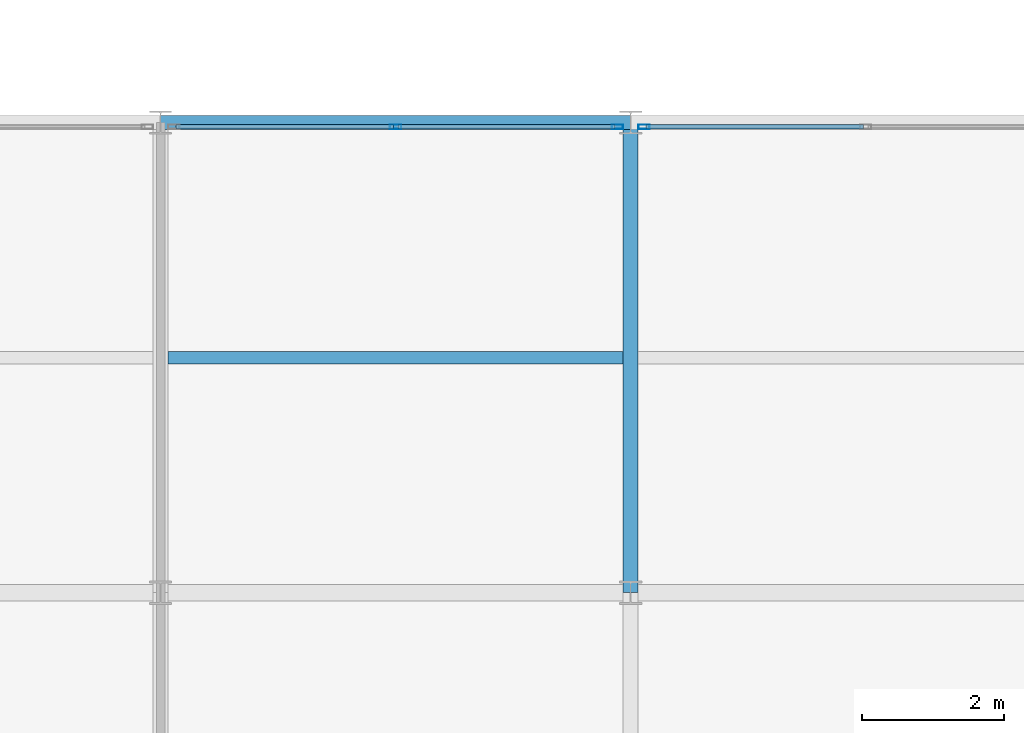
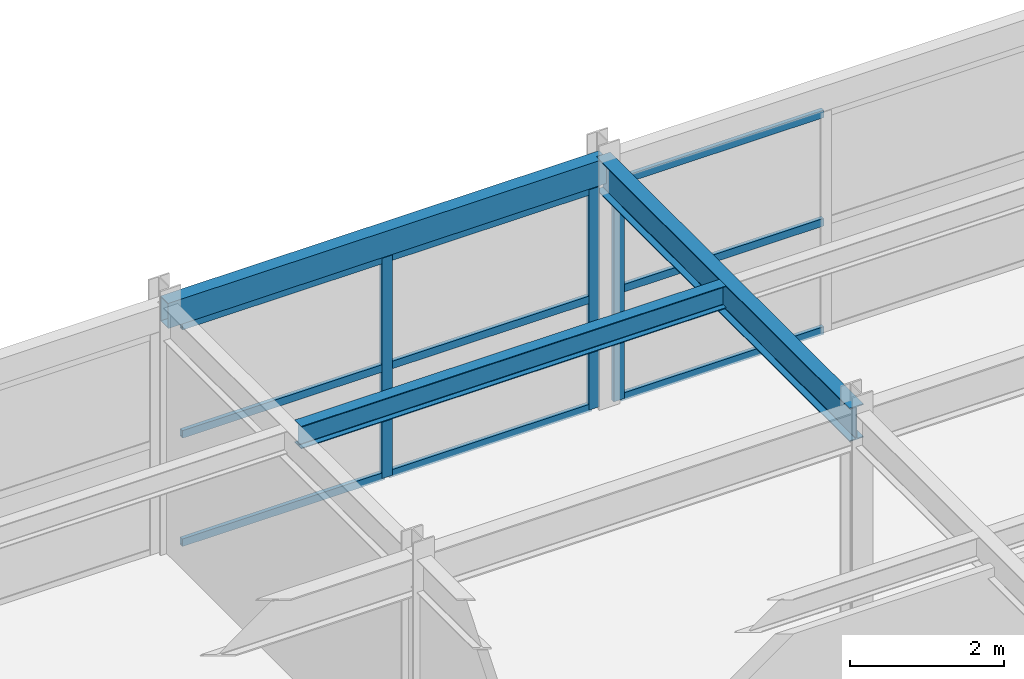
# One storey, part 86 of 134: 12 members, 3 beams, 2 elements without a shape of their own.
"""IFC4 building model written with IfcOpenShell, lengths in metres."""

from ifc_helpers import new_model, si_unit, direction, frame, origin, origin_2d, place, context, subcontext, project, spatial, hollow_rectangle, i_section, extrude, material, material_profile, profile_set, type_object, element, aggregate, save


model = new_model("IFC4")

# Units and contexts
model_context = context("Model", 3, precision=1e-05, world=origin(), true_north=direction((0.0, 1.0)))
body_context = subcontext(model_context, "Body", "Model", "MODEL_VIEW")
ifc_project = project(units=[si_unit("LENGTHUNIT", "METRE"), si_unit("AREAUNIT", "SQUARE_METRE"), si_unit("VOLUMEUNIT", "CUBIC_METRE"), si_unit("PLANEANGLEUNIT", "RADIAN"), si_unit("MASSUNIT", "GRAM", prefix="KILO")], contexts=[model_context])

# Site, building, storey
site_placement = place(None, origin())
site = spatial("IfcSite", under=ifc_project, at=site_placement, CompositionType="ELEMENT")
building_placement = place(site_placement, origin())
building = spatial("IfcBuilding", under=site, at=building_placement, Name="Karori Crest Natural Sciences Institute", CompositionType="ELEMENT")
storey_placement = place(building_placement, frame((0.0, 0.0, 21.699951171875)))
storey = spatial("IfcBuildingStorey", under=building, at=storey_placement, Name="L05", CompositionType="ELEMENT", Elevation=21.699951171875)

# Beams
ifc_material_1 = material(Name="Structural steel AS/NZS 3679.1 Grade 350", Category="steel")
ifc_material_profile_1 = material_profile(ifc_material_1, i_section(OverallWidth=0.208984375, OverallDepth=0.532958984375, WebThickness=0.01025390625, FlangeThickness=0.015625, FilletRadius=0.013916015625, at=origin_2d()), Name="530UB92.4")
ifc_profile_set_1 = profile_set([ifc_material_profile_1], Name="Structural steel AS/NZS 3679.1 Grade 350")
beam_type_1 = type_object("IfcBeamType", Name="BT-05", PredefinedType="BEAM", material=ifc_profile_set_1)
beam_1_placement = place(storey_placement, frame((143.199951171875, 14.0, 3.653564453125), z_axis=(0.0, 1.0, 0.0), x_axis=(-1.0, 0.0, 0.0)))
element("IfcBeam", 1, at=beam_1_placement, inside=storey, type_object=beam_type_1, Name="Beam B-2508", PredefinedType="BEAM", context=body_context, shape_type="SweptSolid", body=[
    extrude(i_section(OverallWidth=0.208984375, OverallDepth=0.532958984375, WebThickness=0.01025390625, FlangeThickness=0.015625, FilletRadius=0.013916015625, at=origin_2d()), origin(), (0.0, 0.0, 1.0), 6.60009765625),
])
ifc_material_profile_2 = material_profile(ifc_material_1, i_section(OverallWidth=0.172119140625, OverallDepth=0.35888671875, WebThickness=0.008056640625, FlangeThickness=0.012939453125, FilletRadius=0.010986328125, at=origin_2d()), Name="360UB56.7")
ifc_profile_set_2 = profile_set([ifc_material_profile_2], Name="Structural steel AS/NZS 3679.1 Grade 350")
beam_type_2 = type_object("IfcBeamType", Name="BT-08", PredefinedType="BEAM", material=ifc_profile_set_2)
beam_2_placement = place(storey_placement, frame((136.70458984375, 17.300048828125, 3.740478515625), z_axis=(1.0, 0.0, 0.0), x_axis=(0.0, 1.0, 0.0)))
element("IfcBeam", 2, at=beam_2_placement, inside=storey, type_object=beam_type_2, Name="Beam B-2531", PredefinedType="BEAM", context=body_context, shape_type="SweptSolid", body=[
    extrude(i_section(OverallWidth=0.172119140625, OverallDepth=0.35888671875, WebThickness=0.008056640625, FlangeThickness=0.012939453125, FilletRadius=0.010986328125, at=origin_2d()), origin(), (0.0, 0.0, 1.0), 6.390869140625),
])
ifc_material_2 = material(Name="Hollow structural steel AS/NZS 1163 Grade C350", Category="steel")
ifc_material_profile_3 = material_profile(ifc_material_2, hollow_rectangle(XDim=0.199951171875, YDim=0.39990234375, WallThickness=0.012451171875, at=origin_2d()), Name="RHS400x200x12.5")
ifc_profile_set_3 = profile_set([ifc_material_profile_3], Name="Hollow structural steel AS/NZS 1163 Grade C350")
beam_type_3 = type_object("IfcBeamType", Name="BT-14", PredefinedType="SPANDREL", material=ifc_profile_set_3)
beam_3_placement = place(storey_placement, frame((136.60009765625, 20.60009765625, 3.719970703125), z_axis=(1.0, 0.0, 0.0), x_axis=(0.0, 1.0, 0.0)))
element("IfcBeam", 3, at=beam_3_placement, inside=storey, type_object=beam_type_3, Name="Beam B-2484", PredefinedType="SPANDREL", context=body_context, shape_type="SweptSolid", body=[
    extrude(hollow_rectangle(XDim=0.199951171875, YDim=0.39990234375, WallThickness=0.012451171875, at=origin_2d()), origin(), (0.0, 0.0, 1.0), 6.599853515625),
])

# Curtain wall, members
ifc_material_3 = material(Name="Anodised architectural aluminium 6063-T6", Category="aluminium")
curtain_wall_type = type_object("IfcCurtainWallType", Name="CWT-20", PredefinedType="NOTDEFINED", material=ifc_material_3)
curtain_wall_1_placement = place(storey_placement, origin())
curtain_wall_1 = element("IfcCurtainWall", 4, at=curtain_wall_1_placement, inside=storey, type_object=curtain_wall_type, Name="Curtain wall CW-0345", PredefinedType="NOTDEFINED")
ifc_material_profile_4 = material_profile(ifc_material_3, hollow_rectangle(XDim=0.06494140625, YDim=0.159912109375, WallThickness=0.00390625, at=origin_2d()), Name="CWM160x65x4")
ifc_profile_set_4 = profile_set([ifc_material_profile_4], Name="Anodised architectural aluminium 6063-T6")
member_type_1 = type_object("IfcMemberType", Name="CWM-01", PredefinedType="MULLION", material=ifc_profile_set_4)
member_1_placement = place(storey_placement, frame((139.89990234375, 20.5400390625, 0.0), z_axis=(0.0, 0.0, 1.0), x_axis=(0.0, 1.0, 0.0)))
member_1 = element("IfcMember", 5, at=member_1_placement, type_object=member_type_1, Name="CW-0345 mullion 2", PredefinedType="MULLION", context=body_context, shape_type="SweptSolid", body=[
    extrude(hollow_rectangle(XDim=0.06494140625, YDim=0.159912109375, WallThickness=0.00390625, at=origin_2d()), origin(), (0.0, 0.0, 1.0), 3.505126953125),
])
member_2_placement = place(storey_placement, frame((143.013916015625, 20.5400390625, 0.0), z_axis=(0.0, 0.0, 1.0), x_axis=(0.0, 1.0, 0.0)))
member_2 = element("IfcMember", 6, at=member_2_placement, type_object=member_type_1, Name="CW-0345 mullion 3", PredefinedType="MULLION", context=body_context, shape_type="SweptSolid", body=[
    extrude(hollow_rectangle(XDim=0.06494140625, YDim=0.159912109375, WallThickness=0.00390625, at=origin_2d()), origin(), (0.0, 0.0, 1.0), 3.505126953125),
])

# Curtain wall, member
curtain_wall_2_placement = place(storey_placement, origin())
curtain_wall_2 = element("IfcCurtainWall", 7, at=curtain_wall_2_placement, inside=storey, type_object=curtain_wall_type, Name="Curtain wall CW-0346", PredefinedType="NOTDEFINED")
member_3_placement = place(storey_placement, frame((143.385986328125, 20.5400390625, 0.0), z_axis=(0.0, 0.0, 1.0), x_axis=(0.0, 1.0, 0.0)))
member_3 = element("IfcMember", 8, at=member_3_placement, type_object=member_type_1, Name="CW-0346 mullion 1", PredefinedType="MULLION", context=body_context, shape_type="SweptSolid", body=[
    extrude(hollow_rectangle(XDim=0.06494140625, YDim=0.159912109375, WallThickness=0.00390625, at=origin_2d()), origin(), (0.0, 0.0, 1.0), 3.505126953125),
])

# Member
ifc_material_profile_5 = material_profile(ifc_material_3, hollow_rectangle(XDim=0.06005859375, YDim=0.1201171875, WallThickness=0.00390625, at=origin_2d()), Name="CWT120x60x4")
ifc_profile_set_5 = profile_set([ifc_material_profile_5], Name="Anodised architectural aluminium 6063-T6")
member_type_2 = type_object("IfcMemberType", Name="CWT-TR1", PredefinedType="USERDEFINED", material=ifc_profile_set_5)
member_4_placement = place(storey_placement, frame((136.818603515625, 20.5400390625, 0.030029296875), z_axis=(1.0, 0.0, 0.0), x_axis=(0.0, 1.0, 0.0)))
member_4 = element("IfcMember", 9, at=member_4_placement, type_object=member_type_2, Name="CW-0345 transom 1.1", ObjectType="TRANSOM", PredefinedType="USERDEFINED", context=body_context, shape_type="SweptSolid", body=[
    extrude(hollow_rectangle(XDim=0.06005859375, YDim=0.1201171875, WallThickness=0.00390625, at=origin_2d()), origin(), (0.0, 0.0, 1.0), 3.048828125),
])

member_5_placement = place(storey_placement, frame((136.818603515625, 20.5400390625, 1.75244140625), z_axis=(1.0, 0.0, 0.0), x_axis=(0.0, 1.0, 0.0)))
member_5 = element("IfcMember", 10, at=member_5_placement, type_object=member_type_2, Name="CW-0345 transom 1.2", ObjectType="TRANSOM", PredefinedType="USERDEFINED", context=body_context, shape_type="SweptSolid", body=[
    extrude(hollow_rectangle(XDim=0.06005859375, YDim=0.1201171875, WallThickness=0.00390625, at=origin_2d()), origin(), (0.0, 0.0, 1.0), 3.048828125),
])

member_6_placement = place(storey_placement, frame((136.818603515625, 20.5400390625, 3.47509765625), z_axis=(1.0, 0.0, 0.0), x_axis=(0.0, 1.0, 0.0)))
member_6 = element("IfcMember", 11, at=member_6_placement, type_object=member_type_2, Name="CW-0345 transom 1.3", ObjectType="TRANSOM", PredefinedType="USERDEFINED", context=body_context, shape_type="SweptSolid", body=[
    extrude(hollow_rectangle(XDim=0.06005859375, YDim=0.1201171875, WallThickness=0.00390625, at=origin_2d()), origin(), (0.0, 0.0, 1.0), 3.048828125),
])

member_7_placement = place(storey_placement, frame((139.9326171875, 20.5400390625, 0.030029296875), z_axis=(1.0, 0.0, 0.0), x_axis=(0.0, 1.0, 0.0)))
member_7 = element("IfcMember", 12, at=member_7_placement, type_object=member_type_2, Name="CW-0345 transom 2.1", ObjectType="TRANSOM", PredefinedType="USERDEFINED", context=body_context, shape_type="SweptSolid", body=[
    extrude(hollow_rectangle(XDim=0.06005859375, YDim=0.1201171875, WallThickness=0.00390625, at=origin_2d()), origin(), (0.0, 0.0, 1.0), 3.048828125),
])

member_8_placement = place(storey_placement, frame((139.9326171875, 20.5400390625, 1.75244140625), z_axis=(1.0, 0.0, 0.0), x_axis=(0.0, 1.0, 0.0)))
member_8 = element("IfcMember", 13, at=member_8_placement, type_object=member_type_2, Name="CW-0345 transom 2.2", ObjectType="TRANSOM", PredefinedType="USERDEFINED", context=body_context, shape_type="SweptSolid", body=[
    extrude(hollow_rectangle(XDim=0.06005859375, YDim=0.1201171875, WallThickness=0.00390625, at=origin_2d()), origin(), (0.0, 0.0, 1.0), 3.048828125),
])

member_9_placement = place(storey_placement, frame((139.9326171875, 20.5400390625, 3.47509765625), z_axis=(1.0, 0.0, 0.0), x_axis=(0.0, 1.0, 0.0)))
member_9 = element("IfcMember", 14, at=member_9_placement, type_object=member_type_2, Name="CW-0345 transom 2.3", ObjectType="TRANSOM", PredefinedType="USERDEFINED", context=body_context, shape_type="SweptSolid", body=[
    extrude(hollow_rectangle(XDim=0.06005859375, YDim=0.1201171875, WallThickness=0.00390625, at=origin_2d()), origin(), (0.0, 0.0, 1.0), 3.048828125),
])

aggregate(curtain_wall_1, [member_1, member_2, member_4, member_5, member_6, member_7, member_8, member_9])

member_10_placement = place(storey_placement, frame((143.41845703125, 20.5400390625, 0.030029296875), z_axis=(1.0, 0.0, 0.0), x_axis=(0.0, 1.0, 0.0)))
member_10 = element("IfcMember", 15, at=member_10_placement, type_object=member_type_2, Name="CW-0346 transom 1.1", ObjectType="TRANSOM", PredefinedType="USERDEFINED", context=body_context, shape_type="SweptSolid", body=[
    extrude(hollow_rectangle(XDim=0.06005859375, YDim=0.1201171875, WallThickness=0.00390625, at=origin_2d()), origin(), (0.0, 0.0, 1.0), 3.049072265625),
])

member_11_placement = place(storey_placement, frame((143.41845703125, 20.5400390625, 1.75244140625), z_axis=(1.0, 0.0, 0.0), x_axis=(0.0, 1.0, 0.0)))
member_11 = element("IfcMember", 16, at=member_11_placement, type_object=member_type_2, Name="CW-0346 transom 1.2", ObjectType="TRANSOM", PredefinedType="USERDEFINED", context=body_context, shape_type="SweptSolid", body=[
    extrude(hollow_rectangle(XDim=0.06005859375, YDim=0.1201171875, WallThickness=0.00390625, at=origin_2d()), origin(), (0.0, 0.0, 1.0), 3.049072265625),
])

member_12_placement = place(storey_placement, frame((143.41845703125, 20.5400390625, 3.47509765625), z_axis=(1.0, 0.0, 0.0), x_axis=(0.0, 1.0, 0.0)))
member_12 = element("IfcMember", 17, at=member_12_placement, type_object=member_type_2, Name="CW-0346 transom 1.3", ObjectType="TRANSOM", PredefinedType="USERDEFINED", context=body_context, shape_type="SweptSolid", body=[
    extrude(hollow_rectangle(XDim=0.06005859375, YDim=0.1201171875, WallThickness=0.00390625, at=origin_2d()), origin(), (0.0, 0.0, 1.0), 3.049072265625),
])

aggregate(curtain_wall_2, [member_3, member_10, member_11, member_12])

save(model, "model.ifc")
